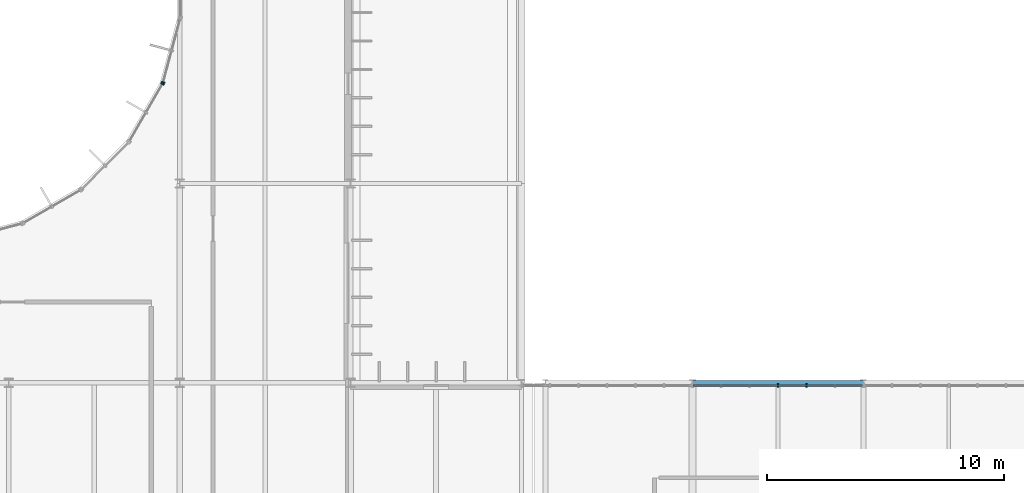
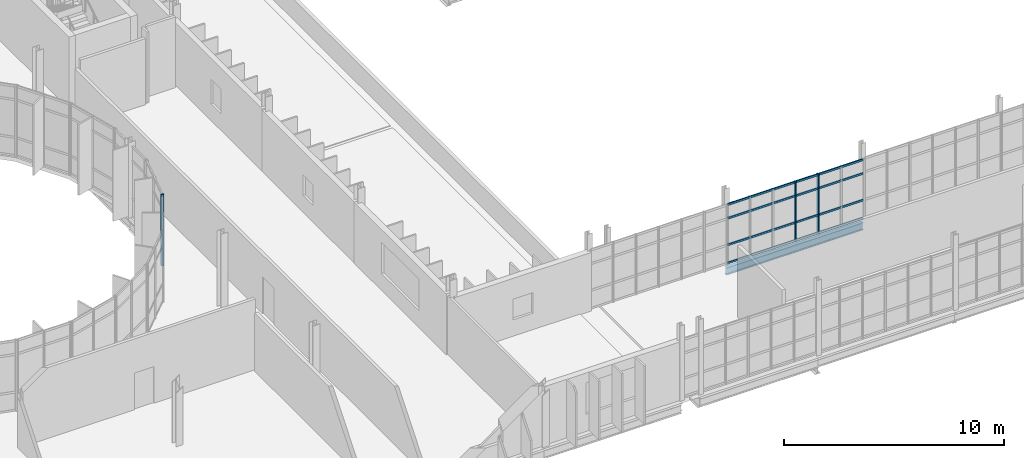
# One storey, part 42 of 99: 8 members, 1 beam, 3 elements without a shape of their own.
"""IFC4 building model written with IfcOpenShell, lengths in metres."""

from ifc_helpers import new_model, si_unit, direction, frame, origin, origin_2d, place, context, subcontext, project, spatial, rectangle, i_section, extrude, material, material_profile, profile_set, type_object, element, aggregate, save


model = new_model("IFC4")

# Units and contexts
model_context = context("Model", 3, precision=1e-05, world=origin(), true_north=direction((0.0, 1.0)))
body_context = subcontext(model_context, "Body", "Model", "MODEL_VIEW")
ifc_project = project(units=[si_unit("LENGTHUNIT", "METRE"), si_unit("AREAUNIT", "SQUARE_METRE"), si_unit("VOLUMEUNIT", "CUBIC_METRE"), si_unit("PLANEANGLEUNIT", "RADIAN"), si_unit("MASSUNIT", "GRAM", prefix="KILO")], contexts=[model_context])

# Site, building, storey
site_placement = place(None, origin())
site = spatial("IfcSite", under=ifc_project, at=site_placement, CompositionType="ELEMENT")
building_placement = place(site_placement, origin())
building = spatial("IfcBuilding", under=site, at=building_placement, Name="Qelthora Terrace Specialist Clinic", CompositionType="ELEMENT")
storey_placement = place(building_placement, frame((0.0, 0.0, 9.0)))
storey = spatial("IfcBuildingStorey", under=building, at=storey_placement, Name="L02", CompositionType="ELEMENT", Elevation=9.0)

# Beam
ifc_material_1 = material(Name="Steel S355", Category="steel")
ifc_material_profile_1 = material_profile(ifc_material_1, i_section(OverallWidth=0.178955078125, OverallDepth=0.409912109375, WebThickness=0.0087890625, FlangeThickness=0.014404296875, FilletRadius=0.011962890625, at=origin_2d()), Name="W410X67")
ifc_profile_set_1 = profile_set([ifc_material_profile_1], Name="Steel S355")
beam_type = type_object("IfcBeamType", Name="BM-W410X67", PredefinedType="BEAM", material=ifc_profile_set_1)
beam_placement = place(storey_placement, frame((57.60009765625, 67.199951171875, -0.455078125), z_axis=(1.0, 0.0, 0.0), x_axis=(0.0, 1.0, 0.0)))
element("IfcBeam", 1, at=beam_placement, inside=storey, type_object=beam_type, Name="Girder BMX-L02-0656", PredefinedType="BEAM", context=body_context, shape_type="SweptSolid", body=[
    extrude(i_section(OverallWidth=0.178955078125, OverallDepth=0.409912109375, WebThickness=0.0087890625, FlangeThickness=0.014404296875, FilletRadius=0.011962890625, at=origin_2d()), origin(), (0.0, 0.0, 1.0), 7.199951171875),
])

# Curtain wall, member
ifc_material_2 = material(Name="Aluminium anodized bronze", Category="aluminium")
curtain_wall_type_1 = type_object("IfcCurtainWallType", Name="CW-CRTW-UPP", PredefinedType="NOTDEFINED", material=ifc_material_2)
curtain_wall_1_placement = place(storey_placement, origin())
curtain_wall_1 = element("IfcCurtainWall", 2, at=curtain_wall_1_placement, inside=storey, type_object=curtain_wall_type_1, Name="Curtain wall CW-CW-L02-22", PredefinedType="NOTDEFINED")
ifc_material_profile_2 = material_profile(ifc_material_2, rectangle(XDim=0.06005859375, YDim=0.14990234375, at=origin_2d()), Name="CWM60X150")
ifc_profile_set_2 = profile_set([ifc_material_profile_2], Name="Aluminium anodized bronze")
member_type_1 = type_object("IfcMemberType", Name="CWM-60X150", PredefinedType="MULLION", material=ifc_profile_set_2)
member_1_placement = place(storey_placement, frame((35.271728515625, 79.789794921875, 0.0), z_axis=(0.0, 0.0, 1.0), x_axis=(0.499999597971, 0.866025635896, 0.0)))
member_1 = element("IfcMember", 3, at=member_1_placement, type_object=member_type_1, Name="CW-CW-L02-22 mullion 3", PredefinedType="MULLION", context=body_context, shape_type="SweptSolid", body=[
    extrude(rectangle(XDim=0.06005859375, YDim=0.14990234375, at=origin_2d()), origin(), (0.0, 0.0, 1.0), 3.945068359375),
])
aggregate(curtain_wall_1, [member_1])

curtain_wall_2_placement = place(storey_placement, origin())
curtain_wall_2 = element("IfcCurtainWall", 4, at=curtain_wall_2_placement, inside=storey, type_object=curtain_wall_type_1, Name="Curtain wall CW-CW-L02-23", PredefinedType="NOTDEFINED")
member_2_placement = place(storey_placement, frame((35.299072265625, 79.855224609375, 0.0), z_axis=(0.0, 0.0, 1.0), x_axis=(0.258820356987, 0.96592547477, 0.0)))
member_2 = element("IfcMember", 5, at=member_2_placement, type_object=member_type_1, Name="CW-CW-L02-23 mullion 1", PredefinedType="MULLION", context=body_context, shape_type="SweptSolid", body=[
    extrude(rectangle(XDim=0.06005859375, YDim=0.14990234375, at=origin_2d()), origin(), (0.0, 0.0, 1.0), 3.945068359375),
])
aggregate(curtain_wall_2, [member_2])

# Curtain wall, members
curtain_wall_type_2 = type_object("IfcCurtainWallType", Name="CW-BRG-L02", PredefinedType="NOTDEFINED", material=ifc_material_2)
curtain_wall_3_placement = place(storey_placement, origin())
curtain_wall_3 = element("IfcCurtainWall", 6, at=curtain_wall_3_placement, inside=storey, type_object=curtain_wall_type_2, Name="Curtain wall CW-L02-257", PredefinedType="NOTDEFINED")
member_3_placement = place(storey_placement, frame((61.199951171875, 67.080078125, 0.0), z_axis=(0.0, 0.0, 1.0), x_axis=(1.0, 0.0, 0.0)))
member_3 = element("IfcMember", 7, at=member_3_placement, type_object=member_type_1, Name="CW-L02-257 mullion 4", PredefinedType="MULLION", context=body_context, shape_type="SweptSolid", body=[
    extrude(rectangle(XDim=0.06005859375, YDim=0.14990234375, at=origin_2d()), origin(), (0.0, 0.0, 1.0), 3.330078125),
])
member_4_placement = place(storey_placement, frame((62.39990234375, 67.080078125, 0.0), z_axis=(0.0, 0.0, 1.0), x_axis=(1.0, 0.0, 0.0)))
member_4 = element("IfcMember", 8, at=member_4_placement, type_object=member_type_1, Name="CW-L02-257 mullion 5", PredefinedType="MULLION", context=body_context, shape_type="SweptSolid", body=[
    extrude(rectangle(XDim=0.06005859375, YDim=0.14990234375, at=origin_2d()), origin(), (0.0, 0.0, 1.0), 3.330078125),
])
ifc_material_profile_3 = material_profile(ifc_material_2, rectangle(XDim=0.06005859375, YDim=0.110107421875, at=origin_2d()), Name="CWT60X110")
ifc_profile_set_3 = profile_set([ifc_material_profile_3], Name="Aluminium anodized bronze")
member_type_2 = type_object("IfcMemberType", Name="CWT-60X110", PredefinedType="USERDEFINED", material=ifc_profile_set_3)
member_5_placement = place(storey_placement, frame((57.639892578125, 67.080078125, 0.0400390625), z_axis=(1.0, 0.0, 0.0), x_axis=(0.0, 1.0, 0.0)))
member_5 = element("IfcMember", 9, at=member_5_placement, type_object=member_type_2, Name="CW-L02-257 transom 1", ObjectType="TRANSOM", PredefinedType="USERDEFINED", context=body_context, shape_type="SweptSolid", body=[
    extrude(rectangle(XDim=0.06005859375, YDim=0.110107421875, at=origin_2d()), origin(), (0.0, 0.0, 1.0), 7.1201171875),
])
member_6_placement = place(storey_placement, frame((57.639892578125, 67.080078125, 1.050048828125), z_axis=(1.0, 0.0, 0.0), x_axis=(0.0, 1.0, 0.0)))
member_6 = element("IfcMember", 10, at=member_6_placement, type_object=member_type_2, Name="CW-L02-257 transom 2", ObjectType="TRANSOM", PredefinedType="USERDEFINED", context=body_context, shape_type="SweptSolid", body=[
    extrude(rectangle(XDim=0.06005859375, YDim=0.110107421875, at=origin_2d()), origin(), (0.0, 0.0, 1.0), 7.1201171875),
])
member_7_placement = place(storey_placement, frame((57.639892578125, 67.080078125, 2.530029296875), z_axis=(1.0, 0.0, 0.0), x_axis=(0.0, 1.0, 0.0)))
member_7 = element("IfcMember", 11, at=member_7_placement, type_object=member_type_2, Name="CW-L02-257 transom 3", ObjectType="TRANSOM", PredefinedType="USERDEFINED", context=body_context, shape_type="SweptSolid", body=[
    extrude(rectangle(XDim=0.06005859375, YDim=0.110107421875, at=origin_2d()), origin(), (0.0, 0.0, 1.0), 7.1201171875),
])
member_8_placement = place(storey_placement, frame((57.639892578125, 67.080078125, 3.2900390625), z_axis=(1.0, 0.0, 0.0), x_axis=(0.0, 1.0, 0.0)))
member_8 = element("IfcMember", 12, at=member_8_placement, type_object=member_type_2, Name="CW-L02-257 transom 4", ObjectType="TRANSOM", PredefinedType="USERDEFINED", context=body_context, shape_type="SweptSolid", body=[
    extrude(rectangle(XDim=0.06005859375, YDim=0.110107421875, at=origin_2d()), origin(), (0.0, 0.0, 1.0), 7.1201171875),
])
aggregate(curtain_wall_3, [member_3, member_4, member_5, member_6, member_7, member_8])

save(model, "model.ifc")
